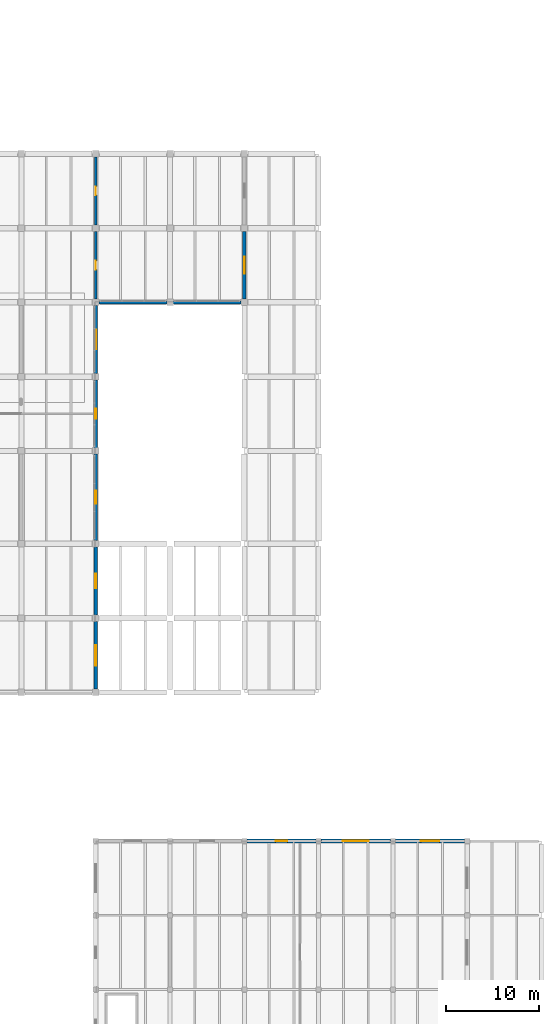
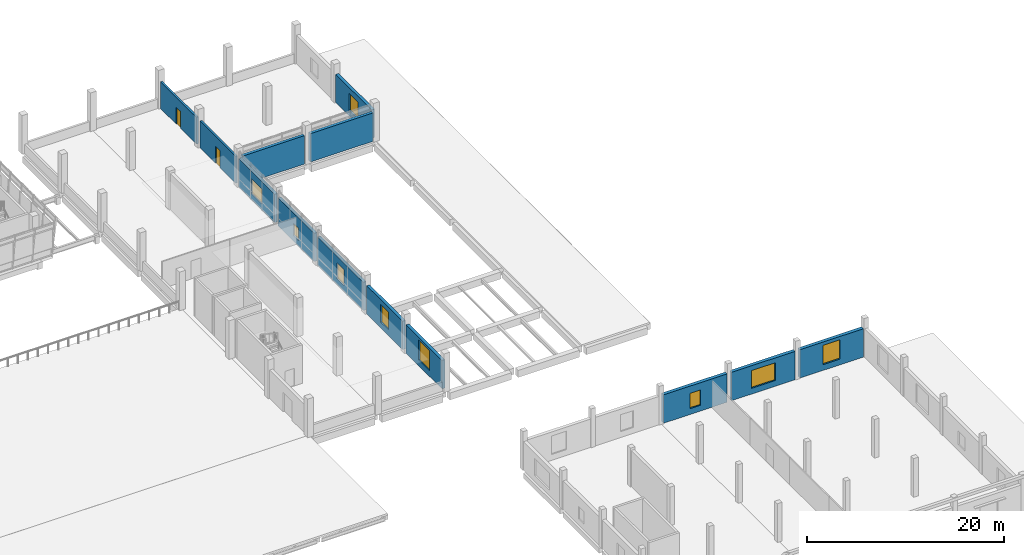
# One storey, part 35 of 52: 13 walls, 9 windows, 2 doors, 11 openings.
"""IFC4 building model written with IfcOpenShell, lengths in metres."""

from ifc_helpers import new_model, si_unit, direction, frame, frame_2d, origin, place, context, subcontext, project, spatial, rectangle, extrude, material, layer, layer_set, type_object, element, fill, save


model = new_model("IFC4")

# Units and contexts
model_context = context("Model", 3, precision=1e-05, world=origin(), true_north=direction((0.0, 1.0)))
body_context = subcontext(model_context, "Body", "Model", "MODEL_VIEW")
ifc_project = project(units=[si_unit("LENGTHUNIT", "METRE"), si_unit("AREAUNIT", "SQUARE_METRE"), si_unit("VOLUMEUNIT", "CUBIC_METRE"), si_unit("PLANEANGLEUNIT", "RADIAN"), si_unit("MASSUNIT", "GRAM", prefix="KILO")], contexts=[model_context])

# Site, building, storey
site_placement = place(None, origin())
site = spatial("IfcSite", under=ifc_project, at=site_placement, CompositionType="ELEMENT")
building_placement = place(site_placement, origin())
building = spatial("IfcBuilding", under=site, at=building_placement, Name="Pecanmere Concourse Central Library", CompositionType="ELEMENT")
storey_placement = place(building_placement, frame((0.0, 0.0, 10.5)))
storey = spatial("IfcBuildingStorey", under=building, at=storey_placement, Name="L03", CompositionType="ELEMENT", Elevation=10.5)

# Wall, opening, window
ifc_material_1 = material(Name="Texas cream limestone ashlar masonry", Category="masonry")
ifc_layer_1 = layer(ifc_material_1, 0.35009765625, Name="EW_LIME_350")
ifc_layer_set_1 = layer_set([ifc_layer_1], Name="Texas cream limestone ashlar masonry")
wall_type_1 = type_object("IfcWallType", Name="EW_LIME_350", PredefinedType="STANDARD", material=ifc_layer_set_1)
wall_1_placement = place(storey_placement, frame((128.0, 48.344970703125, 0.0), z_axis=(0.0, 0.0, 1.0), x_axis=(0.0, 1.0, 0.0)))
wall_1 = element("IfcWall", 1, at=wall_1_placement, inside=storey, type_object=wall_type_1, Name="Limestone Facade Wall L03-0157", PredefinedType="STANDARD", context=body_context, shape_type="SweptSolid", body=[
    extrude(rectangle(XDim=7.31005859375, YDim=0.35009765625, at=frame_2d((3.655029296875, 0.0))), origin(), (0.0, 0.0, 1.0), 3.52001953125),
])
opening_1_placement = place(wall_1_placement, frame((2.554931640625, 0.0, 0.719970703125)))
opening_1 = element("IfcOpeningElement", 2, at=opening_1_placement, cuts=wall_1, Name="Opening WN-02", PredefinedType="OPENING", context=body_context, shape_type="SweptSolid", body=[
    extrude(rectangle(XDim=2.199951171875, YDim=2.5, at=frame_2d((1.10009765625, 1.25))), frame((0.0, 0.18701171875, 0.0), z_axis=(0.0, -1.0, 0.0), x_axis=(1.0, 0.0, 0.0)), (0.0, 0.0, 1.0), 0.3740234375),
])
ifc_material_2 = material(Name="Low-iron clear insulated glazing", Category="glass")
window_type_1 = type_object("IfcWindowType", Name="WIN_2200x2500", PartitioningType="SINGLE_PANEL", PredefinedType="WINDOW", material=ifc_material_2)
window_1_placement = place(opening_1_placement, origin())
window_1 = element("IfcWindow", 3, at=window_1_placement, inside=storey, type_object=window_type_1, Name="WN-133", OverallHeight=2.5, OverallWidth=2.199951171875, PartitioningType="SINGLE_PANEL", PredefinedType="WINDOW", context=body_context, shape_type="SweptSolid", body=[
    extrude(rectangle(XDim=2.199951171875, YDim=2.5, at=frame_2d((1.10009765625, 1.25))), frame((0.0, 0.030029296875, 0.0), z_axis=(0.0, -1.0, 0.0), x_axis=(1.0, 0.0, 0.0)), (0.0, 0.0, 1.0), 0.06005859375),
])
fill(opening_1, window_1)

wall_2_placement = place(storey_placement, frame((128.0, 56.344970703125, 0.0), z_axis=(0.0, 0.0, 1.0), x_axis=(0.0, 1.0, 0.0)))
wall_2 = element("IfcWall", 4, at=wall_2_placement, inside=storey, type_object=wall_type_1, Name="Limestone Facade Wall L03-0159", PredefinedType="STANDARD", context=body_context, shape_type="SweptSolid", body=[
    extrude(rectangle(XDim=7.31005859375, YDim=0.35009765625, at=frame_2d((3.655029296875, 0.0))), origin(), (0.0, 0.0, 1.0), 3.52001953125),
])
opening_2_placement = place(wall_2_placement, frame((2.85498046875, 0.0, 0.719970703125)))
opening_2 = element("IfcOpeningElement", 5, at=opening_2_placement, cuts=wall_2, Name="Opening WN-06", PredefinedType="OPENING", context=body_context, shape_type="SweptSolid", body=[
    extrude(rectangle(XDim=1.60009765625, YDim=2.199951171875, at=frame_2d((0.800048828125, 1.10009765625))), frame((0.0, 0.18701171875, 0.0), z_axis=(0.0, -1.0, 0.0), x_axis=(1.0, 0.0, 0.0)), (0.0, 0.0, 1.0), 0.3740234375),
])
ifc_material_3 = material(Name="Low-iron clear insulated glazing", Category="glass")
window_type_2 = type_object("IfcWindowType", Name="WIN_1600x2200", PartitioningType="SINGLE_PANEL", PredefinedType="WINDOW", material=ifc_material_3)
window_2_placement = place(opening_2_placement, origin())
window_2 = element("IfcWindow", 6, at=window_2_placement, inside=storey, type_object=window_type_2, Name="WN-135", OverallHeight=2.199951171875, OverallWidth=1.60009765625, PartitioningType="SINGLE_PANEL", PredefinedType="WINDOW", context=body_context, shape_type="SweptSolid", body=[
    extrude(rectangle(XDim=1.60009765625, YDim=2.199951171875, at=frame_2d((0.800048828125, 1.10009765625))), frame((0.0, 0.030029296875, 0.0), z_axis=(0.0, -1.0, 0.0), x_axis=(1.0, 0.0, 0.0)), (0.0, 0.0, 1.0), 0.06005859375),
])
fill(opening_2, window_2)

wall_3_placement = place(storey_placement, frame((128.0, 64.344970703125, 0.0), z_axis=(0.0, 0.0, 1.0), x_axis=(0.0, 1.0, 0.0)))
wall_3 = element("IfcWall", 7, at=wall_3_placement, inside=storey, type_object=wall_type_1, Name="Limestone Facade Wall L03-0161", PredefinedType="STANDARD", context=body_context, shape_type="SweptSolid", body=[
    extrude(rectangle(XDim=9.31005859375, YDim=0.35009765625, at=frame_2d((4.655029296875, 0.0))), origin(), (0.0, 0.0, 1.0), 3.52001953125),
])
opening_3_placement = place(wall_3_placement, frame((3.955078125, 0.0, 0.719970703125)))
opening_3 = element("IfcOpeningElement", 8, at=opening_3_placement, cuts=wall_3, Name="Opening WN-10", PredefinedType="OPENING", context=body_context, shape_type="SweptSolid", body=[
    extrude(rectangle(XDim=1.39990234375, YDim=2.0, at=frame_2d((0.699951171875, 1.0))), frame((0.0, 0.18701171875, 0.0), z_axis=(0.0, -1.0, 0.0), x_axis=(1.0, 0.0, 0.0)), (0.0, 0.0, 1.0), 0.3740234375),
])
ifc_material_4 = material(Name="Low-iron clear insulated glazing", Category="glass")
window_type_3 = type_object("IfcWindowType", Name="WIN_1400x2000", PartitioningType="SINGLE_PANEL", PredefinedType="WINDOW", material=ifc_material_4)
window_3_placement = place(opening_3_placement, origin())
window_3 = element("IfcWindow", 9, at=window_3_placement, inside=storey, type_object=window_type_3, Name="WN-137", OverallHeight=2.0, OverallWidth=1.39990234375, PartitioningType="SINGLE_PANEL", PredefinedType="WINDOW", context=body_context, shape_type="SweptSolid", body=[
    extrude(rectangle(XDim=1.39990234375, YDim=2.0, at=frame_2d((0.699951171875, 1.0))), frame((0.0, 0.030029296875, 0.0), z_axis=(0.0, -1.0, 0.0), x_axis=(1.0, 0.0, 0.0)), (0.0, 0.0, 1.0), 0.06005859375),
])
fill(opening_3, window_3)

wall_4_placement = place(storey_placement, frame((128.0, 74.344970703125, 0.0), z_axis=(0.0, 0.0, 1.0), x_axis=(0.0, 1.0, 0.0)))
wall_4 = element("IfcWall", 10, at=wall_4_placement, inside=storey, type_object=wall_type_1, Name="Limestone Facade Wall L03-0163", PredefinedType="STANDARD", context=body_context, shape_type="SweptSolid", body=[
    extrude(rectangle(XDim=7.31005859375, YDim=0.35009765625, at=frame_2d((3.655029296875, 0.0))), origin(), (0.0, 0.0, 1.0), 3.52001953125),
])
opening_4_placement = place(wall_4_placement, frame((3.10498046875, 0.0, 0.719970703125)))
opening_4 = element("IfcOpeningElement", 11, at=opening_4_placement, cuts=wall_4, Name="Opening WN-14", PredefinedType="OPENING", context=body_context, shape_type="SweptSolid", body=[
    extrude(rectangle(XDim=1.10009765625, YDim=1.5, at=frame_2d((0.550048828125, 0.75))), frame((0.0, 0.18701171875, 0.0), z_axis=(0.0, -1.0, 0.0), x_axis=(1.0, 0.0, 0.0)), (0.0, 0.0, 1.0), 0.3740234375),
])
ifc_material_5 = material(Name="Low-iron clear insulated glazing", Category="glass")
window_type_4 = type_object("IfcWindowType", Name="WIN_1100x1500", PartitioningType="SINGLE_PANEL", PredefinedType="WINDOW", material=ifc_material_5)
window_4_placement = place(opening_4_placement, origin())
window_4 = element("IfcWindow", 12, at=window_4_placement, inside=storey, type_object=window_type_4, Name="WN-139", OverallHeight=1.5, OverallWidth=1.10009765625, PartitioningType="SINGLE_PANEL", PredefinedType="WINDOW", context=body_context, shape_type="SweptSolid", body=[
    extrude(rectangle(XDim=1.10009765625, YDim=1.5, at=frame_2d((0.550048828125, 0.75))), frame((0.0, 0.030029296875, 0.0), z_axis=(0.0, -1.0, 0.0), x_axis=(1.0, 0.0, 0.0)), (0.0, 0.0, 1.0), 0.06005859375),
])
fill(opening_4, window_4)

wall_5_placement = place(storey_placement, frame((128.0, 82.344970703125, 0.0), z_axis=(0.0, 0.0, 1.0), x_axis=(0.0, 1.0, 0.0)))
wall_5 = element("IfcWall", 13, at=wall_5_placement, inside=storey, type_object=wall_type_1, Name="Limestone Facade Wall L03-0165", PredefinedType="STANDARD", context=body_context, shape_type="SweptSolid", body=[
    extrude(rectangle(XDim=7.31005859375, YDim=0.35009765625, at=frame_2d((3.655029296875, 0.0))), origin(), (0.0, 0.0, 1.0), 3.52001953125),
])
opening_5_placement = place(wall_5_placement, frame((2.60498046875, 0.0, 0.719970703125)))
opening_5 = element("IfcOpeningElement", 14, at=opening_5_placement, cuts=wall_5, Name="Opening WN-18", PredefinedType="OPENING", context=body_context, shape_type="SweptSolid", body=[
    extrude(rectangle(XDim=2.10009765625, YDim=1.85009765625, at=frame_2d((1.050048828125, 0.925048828125))), frame((0.0, 0.18701171875, 0.0), z_axis=(0.0, -1.0, 0.0), x_axis=(1.0, 0.0, 0.0)), (0.0, 0.0, 1.0), 0.3740234375),
])
ifc_material_6 = material(Name="Low-iron clear insulated glazing", Category="glass")
window_type_5 = type_object("IfcWindowType", Name="WIN_2100x1850", PartitioningType="SINGLE_PANEL", PredefinedType="WINDOW", material=ifc_material_6)
window_5_placement = place(opening_5_placement, origin())
window_5 = element("IfcWindow", 15, at=window_5_placement, inside=storey, type_object=window_type_5, Name="WN-141", OverallHeight=1.85009765625, OverallWidth=2.10009765625, PartitioningType="SINGLE_PANEL", PredefinedType="WINDOW", context=body_context, shape_type="SweptSolid", body=[
    extrude(rectangle(XDim=2.10009765625, YDim=1.85009765625, at=frame_2d((1.050048828125, 0.925048828125))), frame((0.0, 0.030029296875, 0.0), z_axis=(0.0, -1.0, 0.0), x_axis=(1.0, 0.0, 0.0)), (0.0, 0.0, 1.0), 0.06005859375),
])
fill(opening_5, window_5)

wall_6_placement = place(storey_placement, frame((144.0, 90.344970703125, 0.0), z_axis=(0.0, 0.0, 1.0), x_axis=(0.0, 1.0, 0.0)))
wall_6 = element("IfcWall", 16, at=wall_6_placement, inside=storey, type_object=wall_type_1, Name="Limestone Facade Wall L03-0167", PredefinedType="STANDARD", context=body_context, shape_type="SweptSolid", body=[
    extrude(rectangle(XDim=7.31005859375, YDim=0.35009765625, at=frame_2d((3.655029296875, 0.0))), origin(), (0.0, 0.0, 1.0), 3.52001953125),
])
opening_6_placement = place(wall_6_placement, frame((2.7548828125, 0.0, 0.719970703125)))
opening_6 = element("IfcOpeningElement", 17, at=opening_6_placement, cuts=wall_6, Name="Opening WN-05", PredefinedType="OPENING", context=body_context, shape_type="SweptSolid", body=[
    extrude(rectangle(XDim=1.800048828125, YDim=2.10009765625, at=frame_2d((0.89990234375, 1.050048828125))), frame((0.0, 0.18701171875, 0.0), z_axis=(0.0, -1.0, 0.0), x_axis=(1.0, 0.0, 0.0)), (0.0, 0.0, 1.0), 0.3740234375),
])
ifc_material_7 = material(Name="Low-iron clear insulated glazing", Category="glass")
window_type_6 = type_object("IfcWindowType", Name="WIN_1800x2100", PartitioningType="SINGLE_PANEL", PredefinedType="WINDOW", material=ifc_material_7)
window_6_placement = place(opening_6_placement, origin())
window_6 = element("IfcWindow", 18, at=window_6_placement, inside=storey, type_object=window_type_6, Name="WN-143", OverallHeight=2.10009765625, OverallWidth=1.800048828125, PartitioningType="SINGLE_PANEL", PredefinedType="WINDOW", context=body_context, shape_type="SweptSolid", body=[
    extrude(rectangle(XDim=1.800048828125, YDim=2.10009765625, at=frame_2d((0.89990234375, 1.050048828125))), frame((0.0, 0.030029296875, 0.0), z_axis=(0.0, -1.0, 0.0), x_axis=(1.0, 0.0, 0.0)), (0.0, 0.0, 1.0), 0.06005859375),
])
fill(opening_6, window_6)

# Walls
for number, where, z_axis, x_axis, name in (
    (19, (128.344970703125, 90.0, 0.0), (0.0, 0.0, 1.0), (1.0, 0.0, 0.0), "Limestone Facade Wall L03-0171"),
    (20, (136.344970703125, 90.0, 0.0), (0.0, 0.0, 1.0), (1.0, 0.0, 0.0), "Limestone Facade Wall L03-0172"),
):
    element("IfcWall", number, at=place(storey_placement, frame(where, z_axis=z_axis, x_axis=x_axis)), inside=storey, type_object=wall_type_1, Name=name, PredefinedType="STANDARD", context=body_context, shape_type="SweptSolid", body=[
        extrude(rectangle(XDim=7.31005859375, YDim=0.35009765625, at=frame_2d((3.655029296875, 0.0))), origin(), (0.0, 0.0, 1.0), 3.52001953125),
    ])

# Wall, opening, window
ifc_material_8 = material(Name="Texas cream limestone ashlar masonry", Category="masonry")
ifc_layer_2 = layer(ifc_material_8, 0.389892578125, Name="EW_LIME_390")
ifc_layer_set_2 = layer_set([ifc_layer_2], Name="Texas cream limestone ashlar masonry")
wall_type_2 = type_object("IfcWallType", Name="EW_LIME_390", PredefinedType="STANDARD", material=ifc_layer_set_2)
wall_7_placement = place(storey_placement, frame((151.72998046875, 32.0, 0.0), z_axis=(0.0, 0.0, 1.0), x_axis=(-1.0, 0.0, 0.0)))
wall_7 = element("IfcWall", 21, at=wall_7_placement, inside=storey, type_object=wall_type_2, Name="Limestone Facade Wall L03-0115", PredefinedType="STANDARD", context=body_context, shape_type="SweptSolid", body=[
    extrude(rectangle(XDim=7.4599609375, YDim=0.389892578125, at=frame_2d((3.72998046875, 0.0))), origin(), (0.0, 0.0, 1.0), 3.52001953125),
])
opening_7_placement = place(wall_7_placement, frame((3.10498046875, 0.0, 0.719970703125)))
opening_7 = element("IfcOpeningElement", 22, at=opening_7_placement, cuts=wall_7, Name="Opening WN-12", PredefinedType="OPENING", context=body_context, shape_type="SweptSolid", body=[
    extrude(rectangle(XDim=1.25, YDim=1.89990234375, at=frame_2d((0.625, 0.949951171875))), frame((0.0, 0.20703125, 0.0), z_axis=(0.0, -1.0, 0.0), x_axis=(1.0, 0.0, 0.0)), (0.0, 0.0, 1.0), 0.413818359375),
])
ifc_material_9 = material(Name="Low-iron clear insulated glazing", Category="glass")
window_type_7 = type_object("IfcWindowType", Name="WIN_1250x1900", PartitioningType="SINGLE_PANEL", PredefinedType="WINDOW", material=ifc_material_9)
window_7_placement = place(opening_7_placement, origin())
window_7 = element("IfcWindow", 23, at=window_7_placement, inside=storey, type_object=window_type_7, Name="WN-100", OverallHeight=1.89990234375, OverallWidth=1.25, PartitioningType="SINGLE_PANEL", PredefinedType="WINDOW", context=body_context, shape_type="SweptSolid", body=[
    extrude(rectangle(XDim=1.25, YDim=1.89990234375, at=frame_2d((0.625, 0.949951171875))), frame((0.0, 0.030029296875, 0.0), z_axis=(0.0, -1.0, 0.0), x_axis=(1.0, 0.0, 0.0)), (0.0, 0.0, 1.0), 0.06005859375),
])
fill(opening_7, window_7)

wall_8_placement = place(storey_placement, frame((159.72998046875, 32.0, 0.0), z_axis=(0.0, 0.0, 1.0), x_axis=(-1.0, 0.0, 0.0)))
wall_8 = element("IfcWall", 24, at=wall_8_placement, inside=storey, type_object=wall_type_2, Name="Limestone Facade Wall L03-0117", PredefinedType="STANDARD", context=body_context, shape_type="SweptSolid", body=[
    extrude(rectangle(XDim=7.4599609375, YDim=0.389892578125, at=frame_2d((3.72998046875, 0.0))), origin(), (0.0, 0.0, 1.0), 3.52001953125),
])
opening_8_placement = place(wall_8_placement, frame((2.330078125, 0.0, 0.719970703125)))
opening_8 = element("IfcOpeningElement", 25, at=opening_8_placement, cuts=wall_8, Name="Opening WN-16", PredefinedType="OPENING", context=body_context, shape_type="SweptSolid", body=[
    extrude(rectangle(XDim=2.800048828125, YDim=2.199951171875, at=frame_2d((1.39990234375, 1.10009765625))), frame((0.0, 0.20703125, 0.0), z_axis=(0.0, -1.0, 0.0), x_axis=(1.0, 0.0, 0.0)), (0.0, 0.0, 1.0), 0.413818359375),
])
ifc_material_10 = material(Name="Low-iron clear insulated glazing", Category="glass")
window_type_8 = type_object("IfcWindowType", Name="WIN_2800x2200", PartitioningType="SINGLE_PANEL", PredefinedType="WINDOW", material=ifc_material_10)
window_8_placement = place(opening_8_placement, origin())
window_8 = element("IfcWindow", 26, at=window_8_placement, inside=storey, type_object=window_type_8, Name="WN-102", OverallHeight=2.199951171875, OverallWidth=2.800048828125, PartitioningType="SINGLE_PANEL", PredefinedType="WINDOW", context=body_context, shape_type="SweptSolid", body=[
    extrude(rectangle(XDim=2.800048828125, YDim=2.199951171875, at=frame_2d((1.39990234375, 1.10009765625))), frame((0.0, 0.030029296875, 0.0), z_axis=(0.0, -1.0, 0.0), x_axis=(1.0, 0.0, 0.0)), (0.0, 0.0, 1.0), 0.06005859375),
])
fill(opening_8, window_8)

wall_9_placement = place(storey_placement, frame((167.72998046875, 32.0, 0.0), z_axis=(0.0, 0.0, 1.0), x_axis=(-1.0, 0.0, 0.0)))
wall_9 = element("IfcWall", 27, at=wall_9_placement, inside=storey, type_object=wall_type_2, Name="Limestone Facade Wall L03-0119", PredefinedType="STANDARD", context=body_context, shape_type="SweptSolid", body=[
    extrude(rectangle(XDim=7.4599609375, YDim=0.389892578125, at=frame_2d((3.72998046875, 0.0))), origin(), (0.0, 0.0, 1.0), 3.52001953125),
])
opening_9_placement = place(wall_9_placement, frame((2.72998046875, 0.0, 0.719970703125)))
opening_9 = element("IfcOpeningElement", 28, at=opening_9_placement, cuts=wall_9, Name="Opening WN-03", PredefinedType="OPENING", context=body_context, shape_type="SweptSolid", body=[
    extrude(rectangle(XDim=2.0, YDim=2.39990234375, at=frame_2d((1.0, 1.199951171875))), frame((0.0, 0.20703125, 0.0), z_axis=(0.0, -1.0, 0.0), x_axis=(1.0, 0.0, 0.0)), (0.0, 0.0, 1.0), 0.413818359375),
])
ifc_material_11 = material(Name="Low-iron clear insulated glazing", Category="glass")
window_type_9 = type_object("IfcWindowType", Name="WIN_2000x2400", PartitioningType="SINGLE_PANEL", PredefinedType="WINDOW", material=ifc_material_11)
window_9_placement = place(opening_9_placement, origin())
window_9 = element("IfcWindow", 29, at=window_9_placement, inside=storey, type_object=window_type_9, Name="WN-104", OverallHeight=2.39990234375, OverallWidth=2.0, PartitioningType="SINGLE_PANEL", PredefinedType="WINDOW", context=body_context, shape_type="SweptSolid", body=[
    extrude(rectangle(XDim=2.0, YDim=2.39990234375, at=frame_2d((1.0, 1.199951171875))), frame((0.0, 0.030029296875, 0.0), z_axis=(0.0, -1.0, 0.0), x_axis=(1.0, 0.0, 0.0)), (0.0, 0.0, 1.0), 0.06005859375),
])
fill(opening_9, window_9)

# Wall, opening, door
ifc_material_12 = material(Name="Concrete masonry unit ASTM C90", Category="masonry")
ifc_layer_3 = layer(ifc_material_12, 0.22509765625, Name="IW_PLUMB_225")
ifc_layer_set_3 = layer_set([ifc_layer_3], Name="Concrete masonry unit ASTM C90")
wall_type_3 = type_object("IfcWallType", Name="IW_PLUMB_225", PredefinedType="PARTITIONING", material=ifc_layer_set_3)
wall_10_placement = place(storey_placement, frame((128.0, 90.360107421875, 0.0), z_axis=(0.0, 0.0, 1.0), x_axis=(0.0, 1.0, 0.0)))
wall_10 = element("IfcWall", 30, at=wall_10_placement, inside=storey, type_object=wall_type_3, Name="Interior Partition L03-0180", PredefinedType="PARTITIONING", context=body_context, shape_type="SweptSolid", body=[
    extrude(rectangle(XDim=7.27978515625, YDim=0.22509765625, at=frame_2d((3.639892578125, 0.0))), origin(), (0.0, 0.0, 1.0), 3.330078125),
])
opening_10_placement = place(wall_10_placement, frame((3.179931640625, 0.0, 0.0)))
opening_10 = element("IfcOpeningElement", 31, at=opening_10_placement, cuts=wall_10, Name="Opening DT-07", PredefinedType="OPENING", context=body_context, shape_type="SweptSolid", body=[
    extrude(rectangle(XDim=0.919921875, YDim=2.10009765625, at=frame_2d((0.4599609375, 1.050048828125))), frame((0.0, 0.12451171875, 0.0), z_axis=(0.0, -1.0, 0.0), x_axis=(1.0, 0.0, 0.0)), (0.0, 0.0, 1.0), 0.2490234375),
])
ifc_material_13 = material(Name="Solid white oak architectural joinery")
door_type_1 = type_object("IfcDoorType", Name="DT-07", OperationType="SINGLE_SWING_LEFT", PredefinedType="DOOR", material=ifc_material_13)
door_1_placement = place(opening_10_placement, origin())
door_1 = element("IfcDoor", 32, at=door_1_placement, inside=storey, type_object=door_type_1, Name="D-210", OperationType="SINGLE_SWING_LEFT", OverallHeight=2.10009765625, OverallWidth=0.919921875, PredefinedType="DOOR", context=body_context, shape_type="SweptSolid", body=[
    extrude(rectangle(XDim=0.919921875, YDim=2.10009765625, at=frame_2d((0.4599609375, 1.050048828125))), frame((0.0, 0.02490234375, 0.0), z_axis=(0.0, -1.0, 0.0), x_axis=(1.0, 0.0, 0.0)), (0.0, 0.0, 1.0), 0.050048828125),
])
fill(opening_10, door_1)

wall_11_placement = place(storey_placement, frame((128.0, 98.360107421875, 0.0), z_axis=(0.0, 0.0, 1.0), x_axis=(0.0, 1.0, 0.0)))
wall_11 = element("IfcWall", 33, at=wall_11_placement, inside=storey, type_object=wall_type_3, Name="Interior Partition L03-0181", PredefinedType="PARTITIONING", context=body_context, shape_type="SweptSolid", body=[
    extrude(rectangle(XDim=7.27978515625, YDim=0.22509765625, at=frame_2d((3.639892578125, 0.0))), origin(), (0.0, 0.0, 1.0), 3.330078125),
])
opening_11_placement = place(wall_11_placement, frame((3.179931640625, 0.0, 0.0)))
opening_11 = element("IfcOpeningElement", 34, at=opening_11_placement, cuts=wall_11, Name="Opening DT-08", PredefinedType="OPENING", context=body_context, shape_type="SweptSolid", body=[
    extrude(rectangle(XDim=0.919921875, YDim=2.10009765625, at=frame_2d((0.4599609375, 1.050048828125))), frame((0.0, 0.12451171875, 0.0), z_axis=(0.0, -1.0, 0.0), x_axis=(1.0, 0.0, 0.0)), (0.0, 0.0, 1.0), 0.2490234375),
])
ifc_material_14 = material(Name="Solid white oak architectural joinery")
door_type_2 = type_object("IfcDoorType", Name="DT-08", OperationType="SINGLE_SWING_RIGHT", PredefinedType="DOOR", material=ifc_material_14)
door_2_placement = place(opening_11_placement, frame((0.919921875, 0.0, 0.0), z_axis=(0.0, 0.0, 1.0), x_axis=(-1.0, 0.0, 0.0)))
door_2 = element("IfcDoor", 35, at=door_2_placement, inside=storey, type_object=door_type_2, Name="D-211", OperationType="SINGLE_SWING_RIGHT", OverallHeight=2.10009765625, OverallWidth=0.919921875, PredefinedType="DOOR", context=body_context, shape_type="SweptSolid", body=[
    extrude(rectangle(XDim=0.919921875, YDim=2.10009765625, at=frame_2d((0.4599609375, 1.050048828125))), frame((0.0, 0.02490234375, 0.0), z_axis=(0.0, -1.0, 0.0), x_axis=(1.0, 0.0, 0.0)), (0.0, 0.0, 1.0), 0.050048828125),
])
fill(opening_11, door_2)

save(model, "model.ifc")
